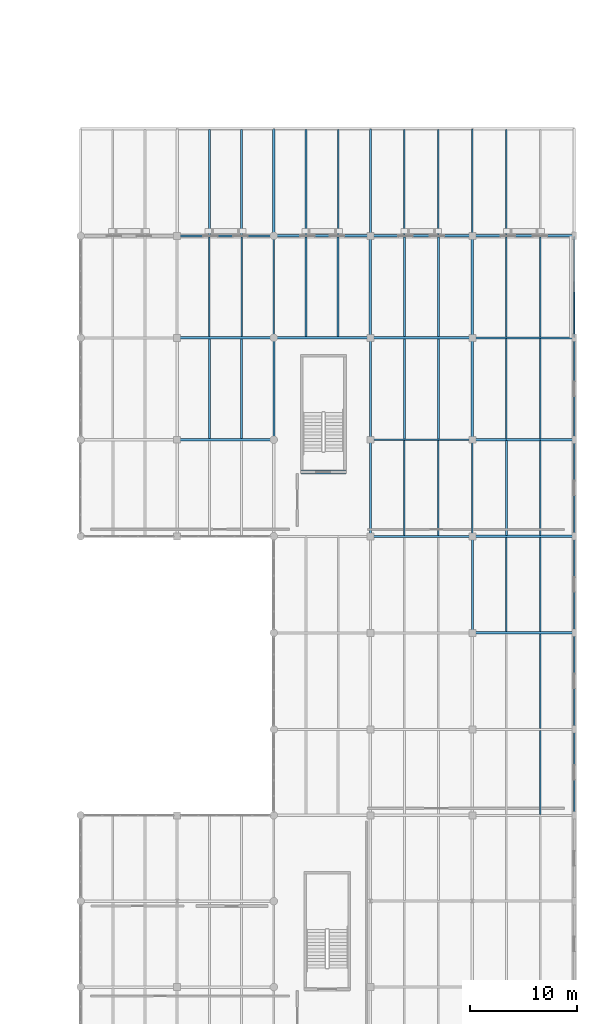
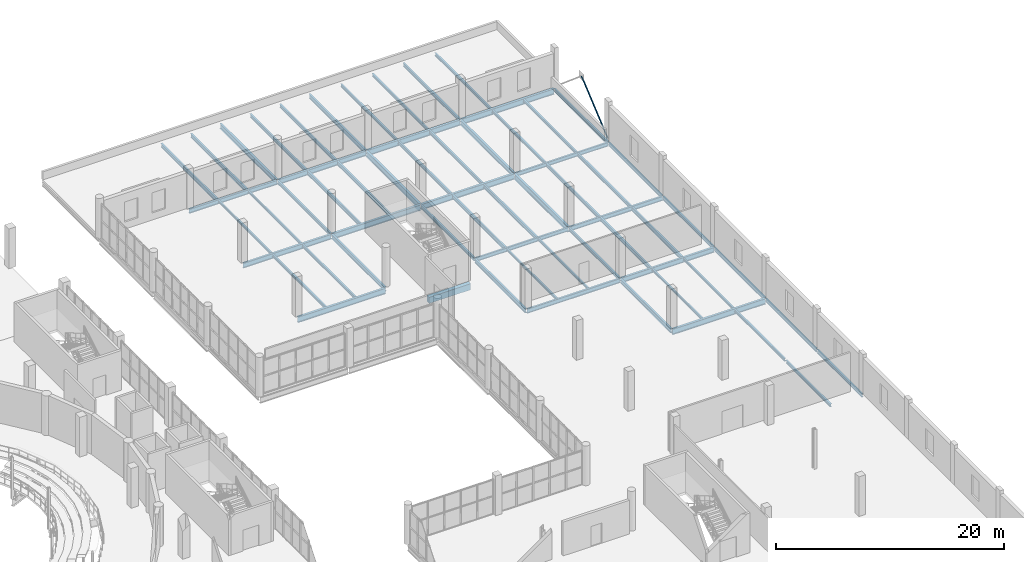
# One storey, part 48 of 85: 62 beams, 1 member.
"""IFC4 building model written with IfcOpenShell, lengths in metres."""

from ifc_helpers import new_model, si_unit, direction, frame, origin, origin_2d, place, context, subcontext, project, spatial, rectangle, hollow_circle, i_section, extrude, material, material_profile, profile_set, type_object, element, save


model = new_model("IFC4")

# Units and contexts
model_context = context("Model", 3, precision=1e-05, world=origin(), true_north=direction((0.0, 1.0)))
body_context = subcontext(model_context, "Body", "Model", "MODEL_VIEW")
ifc_project = project(units=[si_unit("LENGTHUNIT", "METRE"), si_unit("AREAUNIT", "SQUARE_METRE"), si_unit("VOLUMEUNIT", "CUBIC_METRE"), si_unit("PLANEANGLEUNIT", "RADIAN"), si_unit("MASSUNIT", "GRAM", prefix="KILO")], contexts=[model_context])

# Site, building, storey
site_placement = place(None, origin())
site = spatial("IfcSite", under=ifc_project, at=site_placement, CompositionType="ELEMENT")
building_placement = place(site_placement, origin())
building = spatial("IfcBuilding", under=site, at=building_placement, Name="Marnock Terrace Opera House", CompositionType="ELEMENT")
storey_placement = place(building_placement, frame((0.0, 0.0, 10.199951171875)))
storey = spatial("IfcBuildingStorey", under=building, at=storey_placement, Name="L02", CompositionType="ELEMENT", Elevation=10.199951171875)

# Beams
ifc_material_1 = material(Name="Steel Grade 350 (AS/NZS 3679.1)", Category="steel")
ifc_material_profile_1 = material_profile(ifc_material_1, i_section(OverallWidth=0.1708984375, OverallDepth=0.355712890625, WebThickness=0.00732421875, FlangeThickness=0.011474609375, FilletRadius=0.011474609375, at=origin_2d()))
ifc_profile_set_1 = profile_set([ifc_material_profile_1], Name="Steel Grade 350 (AS/NZS 3679.1)")
beam_type_1 = type_object("IfcBeamType", Name="BM-GIRD-360", PredefinedType="BEAM", material=ifc_profile_set_1)
for number, where, z_axis, x_axis, name in (
    (1, (136.0, 84.550048828125, -0.437744140625), (0.0, 1.0, 0.0), (-1.0, 0.0, 0.0), "L02 girder (X=136.0, 84.5..94.0)"),
    (2, (145.0, 75.050048828125, -0.437744140625), (0.0, 1.0, 0.0), (-1.0, 0.0, 0.0), "L02 girder (X=145.0, 75.0..84.5)"),
):
    element("IfcBeam", number, at=place(storey_placement, frame(where, z_axis=z_axis, x_axis=x_axis)), inside=storey, type_object=beam_type_1, Name=name, PredefinedType="BEAM", context=body_context, shape_type="SweptSolid", body=[
        extrude(i_section(OverallWidth=0.1708984375, OverallDepth=0.355712890625, WebThickness=0.00732421875, FlangeThickness=0.011474609375, FilletRadius=0.011474609375, at=origin_2d()), origin(), (0.0, 0.0, 1.0), 9.39990234375),
    ])
beam_1_placement = place(storey_placement, frame((154.5, 66.050048828125, -0.437744140625), z_axis=(0.0, 1.0, 0.0), x_axis=(-1.0, 0.0, 0.0)))
element("IfcBeam", 3, at=beam_1_placement, inside=storey, type_object=beam_type_1, Name="L02 girder (X=154.5, 66.0..75.0)", PredefinedType="BEAM", context=body_context, shape_type="SweptSolid", body=[
    extrude(i_section(OverallWidth=0.1708984375, OverallDepth=0.355712890625, WebThickness=0.00732421875, FlangeThickness=0.011474609375, FilletRadius=0.011474609375, at=origin_2d()), origin(), (0.0, 0.0, 1.0), 8.89990234375),
])
beam_2_placement = place(storey_placement, frame((154.5, 94.050048828125, -0.437744140625), z_axis=(0.0, 1.0, 0.0), x_axis=(-1.0, 0.0, 0.0)))
element("IfcBeam", 4, at=beam_2_placement, inside=storey, type_object=beam_type_1, Name="L02 girder (X=154.5, 94.0..104.0)", PredefinedType="BEAM", context=body_context, shape_type="SweptSolid", body=[
    extrude(i_section(OverallWidth=0.1708984375, OverallDepth=0.355712890625, WebThickness=0.00732421875, FlangeThickness=0.011474609375, FilletRadius=0.011474609375, at=origin_2d()), origin(), (0.0, 0.0, 1.0), 9.89990234375),
])
ifc_material_profile_2 = material_profile(ifc_material_1, i_section(OverallWidth=0.177978515625, OverallDepth=0.402587890625, WebThickness=0.007568359375, FlangeThickness=0.010986328125, FilletRadius=0.011474609375, at=origin_2d()))
ifc_profile_set_2 = profile_set([ifc_material_profile_2], Name="Steel Grade 350 (AS/NZS 3679.1)")
beam_type_2 = type_object("IfcBeamType", Name="BM-GIRD-410", PredefinedType="BEAM", material=ifc_profile_set_2)
for number, where, z_axis, x_axis, name in (
    (5, (145.050048828125, 75.0, -0.461181640625), (1.0, 0.0, 0.0), (0.0, 1.0, 0.0), "L02 girder (145.0..154.5, Y=75.0)"),
    (6, (154.550048828125, 84.5, -0.461181640625), (1.0, 0.0, 0.0), (0.0, 1.0, 0.0), "L02 girder (154.5..164.0, Y=84.5)"),
):
    element("IfcBeam", number, at=place(storey_placement, frame(where, z_axis=z_axis, x_axis=x_axis)), inside=storey, type_object=beam_type_2, Name=name, PredefinedType="BEAM", context=body_context, shape_type="SweptSolid", body=[
        extrude(i_section(OverallWidth=0.177978515625, OverallDepth=0.402587890625, WebThickness=0.007568359375, FlangeThickness=0.010986328125, FilletRadius=0.011474609375, at=origin_2d()), origin(), (0.0, 0.0, 1.0), 9.39990234375),
    ])
ifc_material_profile_3 = material_profile(ifc_material_1, i_section(OverallWidth=0.19091796875, OverallDepth=0.46044921875, WebThickness=0.010009765625, FlangeThickness=0.01611328125, FilletRadius=0.011474609375, at=origin_2d()))
ifc_profile_set_3 = profile_set([ifc_material_profile_3], Name="Steel Grade 350 (AS/NZS 3679.1)")
beam_type_3 = type_object("IfcBeamType", Name="BM-GIRD-460A", PredefinedType="BEAM", material=ifc_profile_set_3)
for number, where, z_axis, x_axis, name in (
    (7, (145.050048828125, 66.0, -0.490234375), (1.0, 0.0, 0.0), (0.0, 1.0, 0.0), "L02 girder (145.0..154.5, Y=66.0)"),
    (8, (154.550048828125, 75.0, -0.490234375), (1.0, 0.0, 0.0), (0.0, 1.0, 0.0), "L02 girder (154.5..164.0, Y=75.0)"),
):
    element("IfcBeam", number, at=place(storey_placement, frame(where, z_axis=z_axis, x_axis=x_axis)), inside=storey, type_object=beam_type_3, Name=name, PredefinedType="BEAM", context=body_context, shape_type="SweptSolid", body=[
        extrude(i_section(OverallWidth=0.19091796875, OverallDepth=0.46044921875, WebThickness=0.010009765625, FlangeThickness=0.01611328125, FilletRadius=0.011474609375, at=origin_2d()), origin(), (0.0, 0.0, 1.0), 9.39990234375),
    ])
beam_3_placement = place(storey_placement, frame((127.050048828125, 94.0, -0.490234375), z_axis=(1.0, 0.0, 0.0), x_axis=(0.0, 1.0, 0.0)))
element("IfcBeam", 9, at=beam_3_placement, inside=storey, type_object=beam_type_3, Name="L02 girder (127.0..136.0, Y=94.0)", PredefinedType="BEAM", context=body_context, shape_type="SweptSolid", body=[
    extrude(i_section(OverallWidth=0.19091796875, OverallDepth=0.46044921875, WebThickness=0.010009765625, FlangeThickness=0.01611328125, FilletRadius=0.011474609375, at=origin_2d()), origin(), (0.0, 0.0, 1.0), 8.89990234375),
])
ifc_material_profile_4 = material_profile(ifc_material_1, i_section(OverallWidth=0.18994140625, OverallDepth=0.45751953125, WebThickness=0.009033203125, FlangeThickness=0.014404296875, FilletRadius=0.011474609375, at=origin_2d()))
ifc_profile_set_4 = profile_set([ifc_material_profile_4], Name="Steel Grade 350 (AS/NZS 3679.1)")
beam_type_4 = type_object("IfcBeamType", Name="BM-GIRD-460B", PredefinedType="BEAM", material=ifc_profile_set_4)
beam_4_placement = place(storey_placement, frame((136.0, 75.050048828125, -0.48876953125), z_axis=(0.0, 1.0, 0.0), x_axis=(-1.0, 0.0, 0.0)))
element("IfcBeam", 10, at=beam_4_placement, inside=storey, type_object=beam_type_4, Name="L02 girder (X=136.0, 75.0..84.5)", PredefinedType="BEAM", context=body_context, shape_type="SweptSolid", body=[
    extrude(i_section(OverallWidth=0.18994140625, OverallDepth=0.45751953125, WebThickness=0.009033203125, FlangeThickness=0.014404296875, FilletRadius=0.011474609375, at=origin_2d()), origin(), (0.0, 0.0, 1.0), 9.39990234375),
])
beam_5_placement = place(storey_placement, frame((145.0, 66.050048828125, -0.48876953125), z_axis=(0.0, 1.0, 0.0), x_axis=(-1.0, 0.0, 0.0)))
element("IfcBeam", 11, at=beam_5_placement, inside=storey, type_object=beam_type_4, Name="L02 girder (X=145.0, 66.0..75.0)", PredefinedType="BEAM", context=body_context, shape_type="SweptSolid", body=[
    extrude(i_section(OverallWidth=0.18994140625, OverallDepth=0.45751953125, WebThickness=0.009033203125, FlangeThickness=0.014404296875, FilletRadius=0.011474609375, at=origin_2d()), origin(), (0.0, 0.0, 1.0), 8.89990234375),
])
beam_6_placement = place(storey_placement, frame((145.0, 94.050048828125, -0.48876953125), z_axis=(0.0, 1.0, 0.0), x_axis=(-1.0, 0.0, 0.0)))
element("IfcBeam", 12, at=beam_6_placement, inside=storey, type_object=beam_type_4, Name="L02 girder (X=145.0, 94.0..104.0)", PredefinedType="BEAM", context=body_context, shape_type="SweptSolid", body=[
    extrude(i_section(OverallWidth=0.18994140625, OverallDepth=0.45751953125, WebThickness=0.009033203125, FlangeThickness=0.014404296875, FilletRadius=0.011474609375, at=origin_2d()), origin(), (0.0, 0.0, 1.0), 9.89990234375),
])
beam_7_placement = place(storey_placement, frame((154.5, 57.050048828125, -0.48876953125), z_axis=(0.0, 1.0, 0.0), x_axis=(-1.0, 0.0, 0.0)))
element("IfcBeam", 13, at=beam_7_placement, inside=storey, type_object=beam_type_4, Name="L02 girder (X=154.5, 57.0..66.0)", PredefinedType="BEAM", context=body_context, shape_type="SweptSolid", body=[
    extrude(i_section(OverallWidth=0.18994140625, OverallDepth=0.45751953125, WebThickness=0.009033203125, FlangeThickness=0.014404296875, FilletRadius=0.011474609375, at=origin_2d()), origin(), (0.0, 0.0, 1.0), 8.89990234375),
])
ifc_material_profile_5 = material_profile(ifc_material_1, i_section(OverallWidth=0.208984375, OverallDepth=0.532958984375, WebThickness=0.01025390625, FlangeThickness=0.015625, FilletRadius=0.013916015625, at=origin_2d()))
ifc_profile_set_5 = profile_set([ifc_material_profile_5], Name="Steel Grade 350 (AS/NZS 3679.1)")
beam_type_5 = type_object("IfcBeamType", Name="BM-GIRD-530A", PredefinedType="BEAM", material=ifc_profile_set_5)
beam_8_placement = place(storey_placement, frame((154.550048828125, 66.0, -0.5263671875), z_axis=(1.0, 0.0, 0.0), x_axis=(0.0, 1.0, 0.0)))
element("IfcBeam", 14, at=beam_8_placement, inside=storey, type_object=beam_type_5, Name="L02 girder (154.5..164.0, Y=66.0)", PredefinedType="BEAM", context=body_context, shape_type="SweptSolid", body=[
    extrude(i_section(OverallWidth=0.208984375, OverallDepth=0.532958984375, WebThickness=0.01025390625, FlangeThickness=0.015625, FilletRadius=0.013916015625, at=origin_2d()), origin(), (0.0, 0.0, 1.0), 9.39990234375),
])
for number, where, z_axis, x_axis, name in (
    (15, (127.050048828125, 84.5, -0.5263671875), (1.0, 0.0, 0.0), (0.0, 1.0, 0.0), "L02 girder (127.0..136.0, Y=84.5)"),
    (16, (136.050048828125, 94.0, -0.5263671875), (1.0, 0.0, 0.0), (0.0, 1.0, 0.0), "L02 girder (136.0..145.0, Y=94.0)"),
):
    element("IfcBeam", number, at=place(storey_placement, frame(where, z_axis=z_axis, x_axis=x_axis)), inside=storey, type_object=beam_type_5, Name=name, PredefinedType="BEAM", context=body_context, shape_type="SweptSolid", body=[
        extrude(i_section(OverallWidth=0.208984375, OverallDepth=0.532958984375, WebThickness=0.01025390625, FlangeThickness=0.015625, FilletRadius=0.013916015625, at=origin_2d()), origin(), (0.0, 0.0, 1.0), 8.89990234375),
    ])
ifc_material_profile_6 = material_profile(ifc_material_1, i_section(OverallWidth=0.208984375, OverallDepth=0.528076171875, WebThickness=0.009521484375, FlangeThickness=0.01318359375, FilletRadius=0.013916015625, at=origin_2d()))
ifc_profile_set_6 = profile_set([ifc_material_profile_6], Name="Steel Grade 350 (AS/NZS 3679.1)")
beam_type_6 = type_object("IfcBeamType", Name="BM-GIRD-530B", PredefinedType="BEAM", material=ifc_profile_set_6)
beam_9_placement = place(storey_placement, frame((136.0, 94.050048828125, -0.52392578125), z_axis=(0.0, 1.0, 0.0), x_axis=(-1.0, 0.0, 0.0)))
element("IfcBeam", 17, at=beam_9_placement, inside=storey, type_object=beam_type_6, Name="L02 girder (X=136.0, 94.0..104.0)", PredefinedType="BEAM", context=body_context, shape_type="SweptSolid", body=[
    extrude(i_section(OverallWidth=0.208984375, OverallDepth=0.528076171875, WebThickness=0.009521484375, FlangeThickness=0.01318359375, FilletRadius=0.013916015625, at=origin_2d()), origin(), (0.0, 0.0, 1.0), 9.89990234375),
])
beam_10_placement = place(storey_placement, frame((154.5, 84.550048828125, -0.52392578125), z_axis=(0.0, 1.0, 0.0), x_axis=(-1.0, 0.0, 0.0)))
element("IfcBeam", 18, at=beam_10_placement, inside=storey, type_object=beam_type_6, Name="L02 girder (X=154.5, 84.5..94.0)", PredefinedType="BEAM", context=body_context, shape_type="SweptSolid", body=[
    extrude(i_section(OverallWidth=0.208984375, OverallDepth=0.528076171875, WebThickness=0.009521484375, FlangeThickness=0.01318359375, FilletRadius=0.013916015625, at=origin_2d()), origin(), (0.0, 0.0, 1.0), 9.39990234375),
])
ifc_material_profile_7 = material_profile(ifc_material_1, i_section(OverallWidth=0.22900390625, OverallDepth=0.611572265625, WebThickness=0.011962890625, FlangeThickness=0.01953125, FilletRadius=0.013916015625, at=origin_2d()))
ifc_profile_set_7 = profile_set([ifc_material_profile_7], Name="Steel Grade 350 (AS/NZS 3679.1)")
beam_type_7 = type_object("IfcBeamType", Name="BM-GIRD-610A", PredefinedType="BEAM", material=ifc_profile_set_7)
for number, where, z_axis, x_axis, name in (
    (19, (145.050048828125, 84.5, -0.565673828125), (1.0, 0.0, 0.0), (0.0, 1.0, 0.0), "L02 girder (145.0..154.5, Y=84.5)"),
    (20, (154.550048828125, 94.0, -0.565673828125), (1.0, 0.0, 0.0), (0.0, 1.0, 0.0), "L02 girder (154.5..164.0, Y=94.0)"),
):
    element("IfcBeam", number, at=place(storey_placement, frame(where, z_axis=z_axis, x_axis=x_axis)), inside=storey, type_object=beam_type_7, Name=name, PredefinedType="BEAM", context=body_context, shape_type="SweptSolid", body=[
        extrude(i_section(OverallWidth=0.22900390625, OverallDepth=0.611572265625, WebThickness=0.011962890625, FlangeThickness=0.01953125, FilletRadius=0.013916015625, at=origin_2d()), origin(), (0.0, 0.0, 1.0), 9.39990234375),
    ])
ifc_material_profile_8 = material_profile(ifc_material_1, i_section(OverallWidth=0.22802734375, OverallDepth=0.60693359375, WebThickness=0.01123046875, FlangeThickness=0.017333984375, FilletRadius=0.013916015625, at=origin_2d()))
ifc_profile_set_8 = profile_set([ifc_material_profile_8], Name="Steel Grade 350 (AS/NZS 3679.1)")
beam_type_8 = type_object("IfcBeamType", Name="BM-GIRD-610B", PredefinedType="BEAM", material=ifc_profile_set_8)
beam_11_placement = place(storey_placement, frame((154.550048828125, 57.0, -0.5634765625), z_axis=(1.0, 0.0, 0.0), x_axis=(0.0, 1.0, 0.0)))
element("IfcBeam", 21, at=beam_11_placement, inside=storey, type_object=beam_type_8, Name="L02 girder (154.5..164.0, Y=57.0)", PredefinedType="BEAM", context=body_context, shape_type="SweptSolid", body=[
    extrude(i_section(OverallWidth=0.22802734375, OverallDepth=0.60693359375, WebThickness=0.01123046875, FlangeThickness=0.017333984375, FilletRadius=0.013916015625, at=origin_2d()), origin(), (0.0, 0.0, 1.0), 9.39990234375),
])
for number, where, z_axis, x_axis, name in (
    (22, (127.050048828125, 75.0, -0.5634765625), (1.0, 0.0, 0.0), (0.0, 1.0, 0.0), "L02 girder (127.0..136.0, Y=75.0)"),
    (23, (136.050048828125, 84.5, -0.5634765625), (1.0, 0.0, 0.0), (0.0, 1.0, 0.0), "L02 girder (136.0..145.0, Y=84.5)"),
):
    element("IfcBeam", number, at=place(storey_placement, frame(where, z_axis=z_axis, x_axis=x_axis)), inside=storey, type_object=beam_type_8, Name=name, PredefinedType="BEAM", context=body_context, shape_type="SweptSolid", body=[
        extrude(i_section(OverallWidth=0.22802734375, OverallDepth=0.60693359375, WebThickness=0.01123046875, FlangeThickness=0.017333984375, FilletRadius=0.013916015625, at=origin_2d()), origin(), (0.0, 0.0, 1.0), 8.89990234375),
    ])
beam_12_placement = place(storey_placement, frame((145.050048828125, 94.0, -0.5634765625), z_axis=(1.0, 0.0, 0.0), x_axis=(0.0, 1.0, 0.0)))
element("IfcBeam", 24, at=beam_12_placement, inside=storey, type_object=beam_type_8, Name="L02 girder (145.0..154.5, Y=94.0)", PredefinedType="BEAM", context=body_context, shape_type="SweptSolid", body=[
    extrude(i_section(OverallWidth=0.22802734375, OverallDepth=0.60693359375, WebThickness=0.01123046875, FlangeThickness=0.017333984375, FilletRadius=0.013916015625, at=origin_2d()), origin(), (0.0, 0.0, 1.0), 9.39990234375),
])
ifc_material_profile_9 = material_profile(ifc_material_1, i_section(OverallWidth=0.22802734375, OverallDepth=0.60205078125, WebThickness=0.010498046875, FlangeThickness=0.014892578125, FilletRadius=0.013916015625, at=origin_2d()))
ifc_profile_set_9 = profile_set([ifc_material_profile_9], Name="Steel Grade 350 (AS/NZS 3679.1)")
beam_type_9 = type_object("IfcBeamType", Name="BM-GIRD-610C", PredefinedType="BEAM", material=ifc_profile_set_9)
for number, where, z_axis, x_axis, name in (
    (25, (145.0, 84.550048828125, -0.56103515625), (0.0, 1.0, 0.0), (-1.0, 0.0, 0.0), "L02 girder (X=145.0, 84.5..94.0)"),
    (26, (154.5, 75.050048828125, -0.56103515625), (0.0, 1.0, 0.0), (-1.0, 0.0, 0.0), "L02 girder (X=154.5, 75.0..84.5)"),
):
    element("IfcBeam", number, at=place(storey_placement, frame(where, z_axis=z_axis, x_axis=x_axis)), inside=storey, type_object=beam_type_9, Name=name, PredefinedType="BEAM", context=body_context, shape_type="SweptSolid", body=[
        extrude(i_section(OverallWidth=0.22802734375, OverallDepth=0.60205078125, WebThickness=0.010498046875, FlangeThickness=0.014892578125, FilletRadius=0.013916015625, at=origin_2d()), origin(), (0.0, 0.0, 1.0), 9.39990234375),
    ])
ifc_material_profile_10 = material_profile(ifc_material_1, i_section(OverallWidth=0.14599609375, OverallDepth=0.256103515625, WebThickness=0.00634765625, FlangeThickness=0.010986328125, FilletRadius=0.0087890625, at=origin_2d()))
ifc_profile_set_10 = profile_set([ifc_material_profile_10], Name="Steel Grade 350 (AS/NZS 3679.1)")
beam_type_10 = type_object("IfcBeamType", Name="BM-JOIST-250", PredefinedType="JOIST", material=ifc_profile_set_10)
for number, where, z_axis, x_axis, name in (
    (27, (130.0, 84.599609375, -0.387939453125), (0.0, 1.0, 0.0), (-1.0, 0.0, 0.0), "L02 secondary joist 14.10.1"),
    (28, (133.0, 84.599609375, -0.387939453125), (0.0, 1.0, 0.0), (-1.0, 0.0, 0.0), "L02 secondary joist 14.10.2"),
):
    element("IfcBeam", number, at=place(storey_placement, frame(where, z_axis=z_axis, x_axis=x_axis)), inside=storey, type_object=beam_type_10, Name=name, PredefinedType="JOIST", context=body_context, shape_type="SweptSolid", body=[
        extrude(i_section(OverallWidth=0.14599609375, OverallDepth=0.256103515625, WebThickness=0.00634765625, FlangeThickness=0.010986328125, FilletRadius=0.0087890625, at=origin_2d()), origin(), (0.0, 0.0, 1.0), 9.309814453125),
    ])
for number, where, z_axis, x_axis, name in (
    (29, (148.166748046875, 66.090576171875, -0.387939453125), (0.0, 1.0, 0.0), (-1.0, 0.0, 0.0), "L02 secondary joist 16.8.1"),
    (30, (151.333251953125, 66.090576171875, -0.387939453125), (0.0, 1.0, 0.0), (-1.0, 0.0, 0.0), "L02 secondary joist 16.8.2"),
):
    element("IfcBeam", number, at=place(storey_placement, frame(where, z_axis=z_axis, x_axis=x_axis)), inside=storey, type_object=beam_type_10, Name=name, PredefinedType="JOIST", context=body_context, shape_type="SweptSolid", body=[
        extrude(i_section(OverallWidth=0.14599609375, OverallDepth=0.256103515625, WebThickness=0.00634765625, FlangeThickness=0.010986328125, FilletRadius=0.0087890625, at=origin_2d()), origin(), (0.0, 0.0, 1.0), 8.825439453125),
    ])
for number, where, z_axis, x_axis, name in (
    (31, (157.666748046875, 57.10888671875, -0.387939453125), (0.0, 1.0, 0.0), (-1.0, 0.0, 0.0), "L02 secondary joist 17.7.1"),
    (32, (160.833251953125, 57.10888671875, -0.387939453125), (0.0, 1.0, 0.0), (-1.0, 0.0, 0.0), "L02 secondary joist 17.7.2"),
):
    element("IfcBeam", number, at=place(storey_placement, frame(where, z_axis=z_axis, x_axis=x_axis)), inside=storey, type_object=beam_type_10, Name=name, PredefinedType="JOIST", context=body_context, shape_type="SweptSolid", body=[
        extrude(i_section(OverallWidth=0.14599609375, OverallDepth=0.256103515625, WebThickness=0.00634765625, FlangeThickness=0.010986328125, FilletRadius=0.0087890625, at=origin_2d()), origin(), (0.0, 0.0, 1.0), 8.79150390625),
    ])
ifc_material_profile_11 = material_profile(ifc_material_1, i_section(OverallWidth=0.166015625, OverallDepth=0.30712890625, WebThickness=0.006591796875, FlangeThickness=0.01171875, FilletRadius=0.011474609375, at=origin_2d()))
ifc_profile_set_11 = profile_set([ifc_material_profile_11], Name="Steel Grade 350 (AS/NZS 3679.1)")
beam_type_11 = type_object("IfcBeamType", Name="BM-JOIST-310A", PredefinedType="JOIST", material=ifc_profile_set_11)
for number, where, z_axis, x_axis, name in (
    (33, (148.166748046875, 94.10888671875, -0.41357421875), (0.0, 1.0, 0.0), (-1.0, 0.0, 0.0), "L02 secondary joist 16.11.1"),
    (34, (151.333251953125, 94.10888671875, -0.41357421875), (0.0, 1.0, 0.0), (-1.0, 0.0, 0.0), "L02 secondary joist 16.11.2"),
):
    element("IfcBeam", number, at=place(storey_placement, frame(where, z_axis=z_axis, x_axis=x_axis)), inside=storey, type_object=beam_type_11, Name=name, PredefinedType="JOIST", context=body_context, shape_type="SweptSolid", body=[
        extrude(i_section(OverallWidth=0.166015625, OverallDepth=0.30712890625, WebThickness=0.006591796875, FlangeThickness=0.01171875, FilletRadius=0.011474609375, at=origin_2d()), origin(), (0.0, 0.0, 1.0), 9.79150390625),
    ])
beam_13_placement = place(storey_placement, frame((160.833251953125, 40.083984375, -0.41357421875), z_axis=(0.0, 1.0, 0.0), x_axis=(-1.0, 0.0, 0.0)))
element("IfcBeam", 35, at=beam_13_placement, inside=storey, type_object=beam_type_11, Name="L02 secondary joist 17.5.2", PredefinedType="JOIST", context=body_context, shape_type="SweptSolid", body=[
    extrude(i_section(OverallWidth=0.166015625, OverallDepth=0.30712890625, WebThickness=0.006591796875, FlangeThickness=0.01171875, FilletRadius=0.011474609375, at=origin_2d()), origin(), (0.0, 0.0, 1.0), 7.806396484375),
])
for number, where, z_axis, x_axis, name in (
    (36, (157.666748046875, 84.583984375, -0.41357421875), (0.0, 1.0, 0.0), (-1.0, 0.0, 0.0), "L02 secondary joist 17.10.1"),
    (37, (160.833251953125, 84.583984375, -0.41357421875), (0.0, 1.0, 0.0), (-1.0, 0.0, 0.0), "L02 secondary joist 17.10.2"),
):
    element("IfcBeam", number, at=place(storey_placement, frame(where, z_axis=z_axis, x_axis=x_axis)), inside=storey, type_object=beam_type_11, Name=name, PredefinedType="JOIST", context=body_context, shape_type="SweptSolid", body=[
        extrude(i_section(OverallWidth=0.166015625, OverallDepth=0.30712890625, WebThickness=0.006591796875, FlangeThickness=0.01171875, FilletRadius=0.011474609375, at=origin_2d()), origin(), (0.0, 0.0, 1.0), 9.306396484375),
    ])
ifc_material_profile_12 = material_profile(ifc_material_1, i_section(OverallWidth=0.1650390625, OverallDepth=0.3037109375, WebThickness=0.006103515625, FlangeThickness=0.01025390625, FilletRadius=0.011474609375, at=origin_2d()))
ifc_profile_set_12 = profile_set([ifc_material_profile_12], Name="Steel Grade 350 (AS/NZS 3679.1)")
beam_type_12 = type_object("IfcBeamType", Name="BM-JOIST-310B", PredefinedType="JOIST", material=ifc_profile_set_12)
for number, where, z_axis, x_axis, name in (
    (38, (130.0, 75.10888671875, -0.411865234375), (0.0, 1.0, 0.0), (-1.0, 0.0, 0.0), "L02 secondary joist 14.9.1"),
    (39, (133.0, 75.10888671875, -0.411865234375), (0.0, 1.0, 0.0), (-1.0, 0.0, 0.0), "L02 secondary joist 14.9.2"),
):
    element("IfcBeam", number, at=place(storey_placement, frame(where, z_axis=z_axis, x_axis=x_axis)), inside=storey, type_object=beam_type_12, Name=name, PredefinedType="JOIST", context=body_context, shape_type="SweptSolid", body=[
        extrude(i_section(OverallWidth=0.1650390625, OverallDepth=0.3037109375, WebThickness=0.006103515625, FlangeThickness=0.01025390625, FilletRadius=0.011474609375, at=origin_2d()), origin(), (0.0, 0.0, 1.0), 9.29150390625),
    ])
beam_14_placement = place(storey_placement, frame((160.833251953125, 48.109619140625, -0.411865234375), z_axis=(0.0, 1.0, 0.0), x_axis=(-1.0, 0.0, 0.0)))
element("IfcBeam", 40, at=beam_14_placement, inside=storey, type_object=beam_type_12, Name="L02 secondary joist 17.6.2", PredefinedType="JOIST", context=body_context, shape_type="SweptSolid", body=[
    extrude(i_section(OverallWidth=0.1650390625, OverallDepth=0.3037109375, WebThickness=0.006103515625, FlangeThickness=0.01025390625, FilletRadius=0.011474609375, at=origin_2d()), origin(), (0.0, 0.0, 1.0), 8.781494140625),
])
beam_15_placement = place(storey_placement, frame((157.666748046875, 94.109619140625, -0.411865234375), z_axis=(0.0, 1.0, 0.0), x_axis=(-1.0, 0.0, 0.0)))
element("IfcBeam", 41, at=beam_15_placement, inside=storey, type_object=beam_type_12, Name="L02 secondary joist 17.11.1", PredefinedType="JOIST", context=body_context, shape_type="SweptSolid", body=[
    extrude(i_section(OverallWidth=0.1650390625, OverallDepth=0.3037109375, WebThickness=0.006103515625, FlangeThickness=0.01025390625, FilletRadius=0.011474609375, at=origin_2d()), origin(), (0.0, 0.0, 1.0), 9.781494140625),
])
ifc_material_profile_13 = material_profile(ifc_material_1, i_section(OverallWidth=0.172119140625, OverallDepth=0.358642578125, WebThickness=0.008056640625, FlangeThickness=0.012939453125, FilletRadius=0.011474609375, at=origin_2d()))
ifc_profile_set_13 = profile_set([ifc_material_profile_13], Name="Steel Grade 350 (AS/NZS 3679.1)")
beam_type_13 = type_object("IfcBeamType", Name="BM-JOIST-360", PredefinedType="JOIST", material=ifc_profile_set_13)
for number, where, z_axis, x_axis, name in (
    (42, (139.0, 94.099609375, -0.439208984375), (0.0, 1.0, 0.0), (-1.0, 0.0, 0.0), "L02 secondary joist 15.11.1"),
    (43, (142.0, 94.099609375, -0.439208984375), (0.0, 1.0, 0.0), (-1.0, 0.0, 0.0), "L02 secondary joist 15.11.2"),
):
    element("IfcBeam", number, at=place(storey_placement, frame(where, z_axis=z_axis, x_axis=x_axis)), inside=storey, type_object=beam_type_13, Name=name, PredefinedType="JOIST", context=body_context, shape_type="SweptSolid", body=[
        extrude(i_section(OverallWidth=0.172119140625, OverallDepth=0.358642578125, WebThickness=0.008056640625, FlangeThickness=0.012939453125, FilletRadius=0.011474609375, at=origin_2d()), origin(), (0.0, 0.0, 1.0), 9.809814453125),
    ])
for number, where, z_axis, x_axis, name in (
    (44, (148.166748046875, 84.609619140625, -0.439208984375), (0.0, 1.0, 0.0), (-1.0, 0.0, 0.0), "L02 secondary joist 16.10.1"),
    (45, (151.333251953125, 84.609619140625, -0.439208984375), (0.0, 1.0, 0.0), (-1.0, 0.0, 0.0), "L02 secondary joist 16.10.2"),
):
    element("IfcBeam", number, at=place(storey_placement, frame(where, z_axis=z_axis, x_axis=x_axis)), inside=storey, type_object=beam_type_13, Name=name, PredefinedType="JOIST", context=body_context, shape_type="SweptSolid", body=[
        extrude(i_section(OverallWidth=0.172119140625, OverallDepth=0.358642578125, WebThickness=0.008056640625, FlangeThickness=0.012939453125, FilletRadius=0.011474609375, at=origin_2d()), origin(), (0.0, 0.0, 1.0), 9.281494140625),
    ])
for number, where, z_axis, x_axis, name in (
    (46, (157.666748046875, 75.090576171875, -0.439208984375), (0.0, 1.0, 0.0), (-1.0, 0.0, 0.0), "L02 secondary joist 17.9.1"),
    (47, (160.833251953125, 75.090576171875, -0.439208984375), (0.0, 1.0, 0.0), (-1.0, 0.0, 0.0), "L02 secondary joist 17.9.2"),
):
    element("IfcBeam", number, at=place(storey_placement, frame(where, z_axis=z_axis, x_axis=x_axis)), inside=storey, type_object=beam_type_13, Name=name, PredefinedType="JOIST", context=body_context, shape_type="SweptSolid", body=[
        extrude(i_section(OverallWidth=0.172119140625, OverallDepth=0.358642578125, WebThickness=0.008056640625, FlangeThickness=0.012939453125, FilletRadius=0.011474609375, at=origin_2d()), origin(), (0.0, 0.0, 1.0), 9.325439453125),
    ])
ifc_material_profile_14 = material_profile(ifc_material_1, i_section(OverallWidth=0.177978515625, OverallDepth=0.406494140625, WebThickness=0.0078125, FlangeThickness=0.0126953125, FilletRadius=0.011474609375, at=origin_2d()))
ifc_profile_set_14 = profile_set([ifc_material_profile_14], Name="Steel Grade 350 (AS/NZS 3679.1)")
beam_type_14 = type_object("IfcBeamType", Name="BM-JOIST-410", PredefinedType="JOIST", material=ifc_profile_set_14)
for number, where, z_axis, x_axis, name in (
    (48, (130.0, 94.090576171875, -0.463134765625), (0.0, 1.0, 0.0), (-1.0, 0.0, 0.0), "L02 secondary joist 14.11.1"),
    (49, (133.0, 94.090576171875, -0.463134765625), (0.0, 1.0, 0.0), (-1.0, 0.0, 0.0), "L02 secondary joist 14.11.2"),
):
    element("IfcBeam", number, at=place(storey_placement, frame(where, z_axis=z_axis, x_axis=x_axis)), inside=storey, type_object=beam_type_14, Name=name, PredefinedType="JOIST", context=body_context, shape_type="SweptSolid", body=[
        extrude(i_section(OverallWidth=0.177978515625, OverallDepth=0.406494140625, WebThickness=0.0078125, FlangeThickness=0.0126953125, FilletRadius=0.011474609375, at=origin_2d()), origin(), (0.0, 0.0, 1.0), 9.825439453125),
    ])
for number, where, z_axis, x_axis, name in (
    (50, (139.0, 84.60888671875, -0.463134765625), (0.0, 1.0, 0.0), (-1.0, 0.0, 0.0), "L02 secondary joist 15.10.1"),
    (51, (142.0, 84.60888671875, -0.463134765625), (0.0, 1.0, 0.0), (-1.0, 0.0, 0.0), "L02 secondary joist 15.10.2"),
):
    element("IfcBeam", number, at=place(storey_placement, frame(where, z_axis=z_axis, x_axis=x_axis)), inside=storey, type_object=beam_type_14, Name=name, PredefinedType="JOIST", context=body_context, shape_type="SweptSolid", body=[
        extrude(i_section(OverallWidth=0.177978515625, OverallDepth=0.406494140625, WebThickness=0.0078125, FlangeThickness=0.0126953125, FilletRadius=0.011474609375, at=origin_2d()), origin(), (0.0, 0.0, 1.0), 9.29150390625),
    ])
for number, where, z_axis, x_axis, name in (
    (52, (148.166748046875, 75.083984375, -0.463134765625), (0.0, 1.0, 0.0), (-1.0, 0.0, 0.0), "L02 secondary joist 16.9.1"),
    (53, (151.333251953125, 75.083984375, -0.463134765625), (0.0, 1.0, 0.0), (-1.0, 0.0, 0.0), "L02 secondary joist 16.9.2"),
):
    element("IfcBeam", number, at=place(storey_placement, frame(where, z_axis=z_axis, x_axis=x_axis)), inside=storey, type_object=beam_type_14, Name=name, PredefinedType="JOIST", context=body_context, shape_type="SweptSolid", body=[
        extrude(i_section(OverallWidth=0.177978515625, OverallDepth=0.406494140625, WebThickness=0.0078125, FlangeThickness=0.0126953125, FilletRadius=0.011474609375, at=origin_2d()), origin(), (0.0, 0.0, 1.0), 9.306396484375),
    ])
for number, where, z_axis, x_axis, name in (
    (54, (157.666748046875, 66.099609375, -0.463134765625), (0.0, 1.0, 0.0), (-1.0, 0.0, 0.0), "L02 secondary joist 17.8.1"),
    (55, (160.833251953125, 66.099609375, -0.463134765625), (0.0, 1.0, 0.0), (-1.0, 0.0, 0.0), "L02 secondary joist 17.8.2"),
):
    element("IfcBeam", number, at=place(storey_placement, frame(where, z_axis=z_axis, x_axis=x_axis)), inside=storey, type_object=beam_type_14, Name=name, PredefinedType="JOIST", context=body_context, shape_type="SweptSolid", body=[
        extrude(i_section(OverallWidth=0.177978515625, OverallDepth=0.406494140625, WebThickness=0.0078125, FlangeThickness=0.0126953125, FilletRadius=0.011474609375, at=origin_2d()), origin(), (0.0, 0.0, 1.0), 8.809814453125),
    ])
ifc_material_2 = material(Name="Concrete N40 (f'c = 40 MPa)", Category="concrete")
ifc_material_profile_15 = material_profile(ifc_material_2, rectangle(XDim=0.39990234375, YDim=0.64990234375, at=origin_2d()))
ifc_profile_set_15 = profile_set([ifc_material_profile_15], Name="Concrete N40 (f'c = 40 MPa)")
beam_type_15 = type_object("IfcBeamType", Name="BM-LINT-RC400", PredefinedType="LINTEL", material=ifc_profile_set_15)
beam_16_placement = place(storey_placement, frame((138.52001953125, 72.0, -0.60986328125), z_axis=(1.0, 0.0, 0.0), x_axis=(0.0, 1.0, 0.0)))
element("IfcBeam", 56, at=beam_16_placement, inside=storey, type_object=beam_type_15, Name="L01 Core C8 coupling lintel", PredefinedType="LINTEL", context=body_context, shape_type="SweptSolid", body=[
    extrude(rectangle(XDim=0.39990234375, YDim=0.64990234375, at=origin_2d()), origin(), (0.0, 0.0, 1.0), 4.199951171875),
])
ifc_material_profile_16 = material_profile(ifc_material_1, i_section(OverallWidth=0.172119140625, OverallDepth=0.358642578125, WebThickness=0.008056640625, FlangeThickness=0.012939453125, FilletRadius=0.011474609375, at=origin_2d()))
ifc_profile_set_16 = profile_set([ifc_material_profile_16], Name="Steel Grade 350 (AS/NZS 3679.1)")
beam_type_16 = type_object("IfcBeamType", Name="BM-SPAN-360", PredefinedType="SPANDREL", material=ifc_profile_set_16)
beam_17_placement = place(storey_placement, frame((164.0, 40.050048828125, -0.439208984375), z_axis=(0.0, 1.0, 0.0), x_axis=(-1.0, 0.0, 0.0)))
element("IfcBeam", 57, at=beam_17_placement, inside=storey, type_object=beam_type_16, Name="L02 girder (X=164.0, 40.0..48.0)", PredefinedType="SPANDREL", context=body_context, shape_type="SweptSolid", body=[
    extrude(i_section(OverallWidth=0.172119140625, OverallDepth=0.358642578125, WebThickness=0.008056640625, FlangeThickness=0.012939453125, FilletRadius=0.011474609375, at=origin_2d()), origin(), (0.0, 0.0, 1.0), 7.89990234375),
])
for number, where, z_axis, x_axis, name in (
    (58, (164.0, 48.050048828125, -0.439208984375), (0.0, 1.0, 0.0), (-1.0, 0.0, 0.0), "L02 girder (X=164.0, 48.0..57.0)"),
    (59, (164.0, 57.050048828125, -0.439208984375), (0.0, 1.0, 0.0), (-1.0, 0.0, 0.0), "L02 girder (X=164.0, 57.0..66.0)"),
    (60, (164.0, 66.050048828125, -0.439208984375), (0.0, 1.0, 0.0), (-1.0, 0.0, 0.0), "L02 girder (X=164.0, 66.0..75.0)"),
):
    element("IfcBeam", number, at=place(storey_placement, frame(where, z_axis=z_axis, x_axis=x_axis)), inside=storey, type_object=beam_type_16, Name=name, PredefinedType="SPANDREL", context=body_context, shape_type="SweptSolid", body=[
        extrude(i_section(OverallWidth=0.172119140625, OverallDepth=0.358642578125, WebThickness=0.008056640625, FlangeThickness=0.012939453125, FilletRadius=0.011474609375, at=origin_2d()), origin(), (0.0, 0.0, 1.0), 8.89990234375),
    ])
for number, where, z_axis, x_axis, name in (
    (61, (164.0, 75.050048828125, -0.439208984375), (0.0, 1.0, 0.0), (-1.0, 0.0, 0.0), "L02 girder (X=164.0, 75.0..84.5)"),
    (62, (164.0, 84.550048828125, -0.439208984375), (0.0, 1.0, 0.0), (-1.0, 0.0, 0.0), "L02 girder (X=164.0, 84.5..94.0)"),
):
    element("IfcBeam", number, at=place(storey_placement, frame(where, z_axis=z_axis, x_axis=x_axis)), inside=storey, type_object=beam_type_16, Name=name, PredefinedType="SPANDREL", context=body_context, shape_type="SweptSolid", body=[
        extrude(i_section(OverallWidth=0.172119140625, OverallDepth=0.358642578125, WebThickness=0.008056640625, FlangeThickness=0.012939453125, FilletRadius=0.011474609375, at=origin_2d()), origin(), (0.0, 0.0, 1.0), 9.39990234375),
    ])

# Member
ifc_material_3 = material(Name="Cold-formed Steel Grade C350L0 (AS/NZS 1163)", Category="steel")
ifc_material_profile_17 = material_profile(ifc_material_3, hollow_circle(Radius=0.06982421875, WallThickness=0.00634765625, at=origin_2d()))
ifc_profile_set_17 = profile_set([ifc_material_profile_17], Name="Cold-formed Steel Grade C350L0 (AS/NZS 1163)")
member_type = type_object("IfcMemberType", Name="MEM-BRACE-CHS3", PredefinedType="BRACE", material=ifc_profile_set_17)
member_placement = place(storey_placement, frame((164.0, 84.64990234375, 0.0), z_axis=(0.0, 0.764390199529, 0.644753924271), x_axis=(-1.0, 0.0, 0.0)))
element("IfcMember", 63, at=member_placement, inside=storey, type_object=member_type, Name="L02 chevron brace A", PredefinedType="BRACE", context=body_context, shape_type="SweptSolid", body=[
    extrude(hollow_circle(Radius=0.06982421875, WallThickness=0.00634765625, at=origin_2d()), origin(), (0.0, 0.0, 1.0), 6.01806640625),
])

save(model, "model.ifc")
